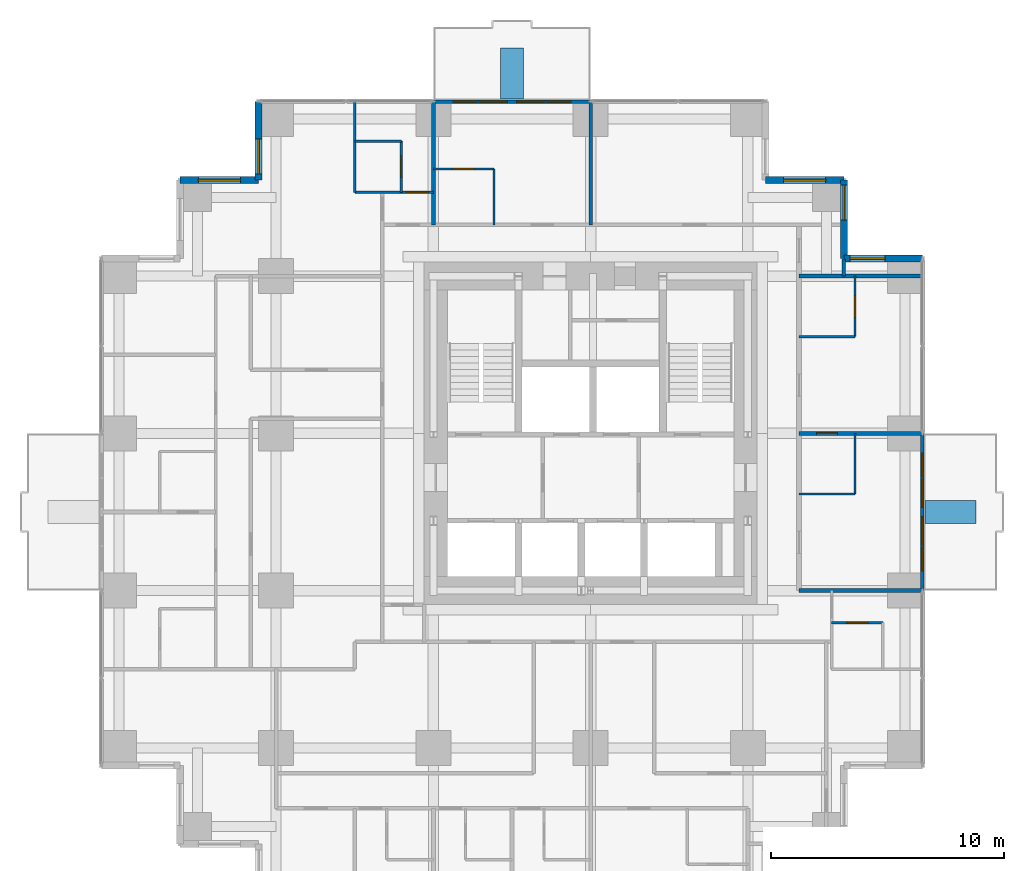
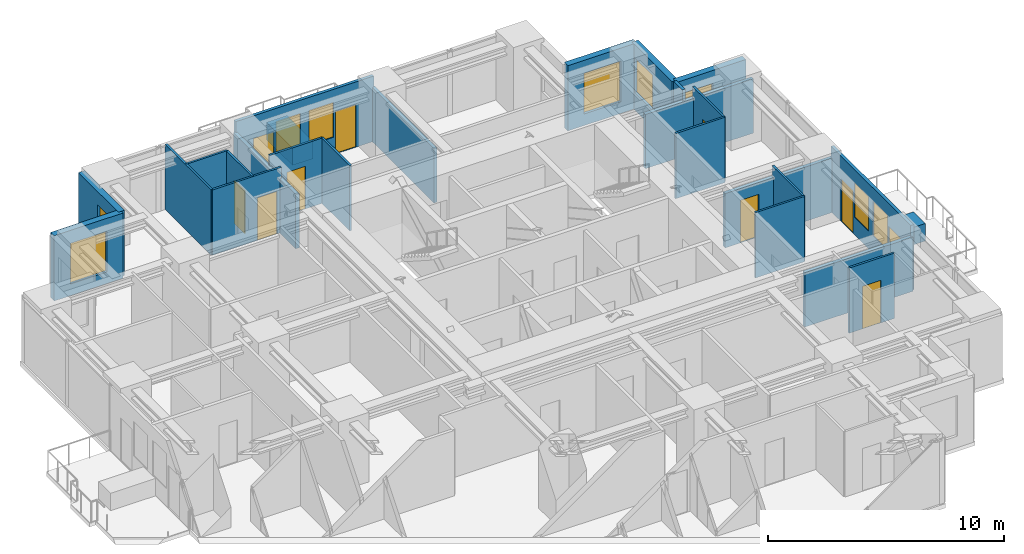
# One storey, part 8 of 10: 26 walls, 10 doors, 9 windows, 19 openings.
"""IFC4 building model written with IfcOpenShell, lengths in metres."""

from ifc_helpers import new_model, si_unit, direction, frame, frame_2d, origin, place, context, subcontext, project, spatial, rectangle, extrude, material, layer, layer_set, type_object, element, fill, save


model = new_model("IFC4")

# Units and contexts
model_context = context("Model", 3, precision=1e-05, world=origin(), true_north=direction((0.0, 1.0)))
body_context = subcontext(model_context, "Body", "Model", "MODEL_VIEW")
ifc_project = project(units=[si_unit("LENGTHUNIT", "METRE"), si_unit("AREAUNIT", "SQUARE_METRE"), si_unit("VOLUMEUNIT", "CUBIC_METRE"), si_unit("PLANEANGLEUNIT", "RADIAN"), si_unit("MASSUNIT", "GRAM", prefix="KILO")], contexts=[model_context])

# Site, building, storey
site_placement = place(None, origin())
site = spatial("IfcSite", under=ifc_project, at=site_placement, CompositionType="ELEMENT")
building_placement = place(site_placement, origin())
building = spatial("IfcBuilding", under=site, at=building_placement, Name="Nyansa Garden Tower", CompositionType="ELEMENT")
storey_placement = place(building_placement, frame((0.0, 0.0, 149.39990234375)))
storey = spatial("IfcBuildingStorey", under=building, at=storey_placement, Name="L40", CompositionType="ELEMENT", Elevation=149.39990234375)

# Walls
ifc_material_1 = material(Name="Dense blockwork, plastered both sides, 55 dB", Category="masonry")
ifc_layer_1 = layer(ifc_material_1, 0.175048828125)
ifc_layer_set_1 = layer_set([ifc_layer_1], Name="Acoustic party wall PW175")
wall_type_1 = type_object("IfcWallType", Name="Acoustic party wall PW175", PredefinedType="PARTITIONING", material=ifc_layer_set_1)
for number, where, z_axis, x_axis, name in (
    (1, (13.5, 29.199951171875, 0.0), (0.0, 0.0, 1.0), (0.0, 1.0, 0.0), "Party wall"),
    (2, (29.199951171875, 13.5, 0.0), (0.0, 0.0, 1.0), (1.0, 0.0, 0.0), "Party wall"),
):
    element("IfcWall", number, at=place(storey_placement, frame(where, z_axis=z_axis, x_axis=x_axis)), inside=storey, type_object=wall_type_1, Name=name, PredefinedType="PARTITIONING", context=body_context, shape_type="SweptSolid", body=[
        extrude(rectangle(XDim=5.283935546875, YDim=0.175048828125, at=frame_2d((2.64208984375, 0.0))), origin(), (0.0, 0.0, 1.0), 2.80615234375),
    ])

# Wall, opening, door
wall_1_placement = place(storey_placement, frame((29.199951171875, 20.25, 0.0), z_axis=(0.0, 0.0, 1.0), x_axis=(1.0, 0.0, 0.0)))
wall_1 = element("IfcWall", 3, at=wall_1_placement, inside=storey, type_object=wall_type_1, Name="Party wall", PredefinedType="PARTITIONING", context=body_context, shape_type="SweptSolid", body=[
    extrude(rectangle(XDim=5.283935546875, YDim=0.175048828125, at=frame_2d((2.64208984375, 0.0))), origin(), (0.0, 0.0, 1.0), 2.80615234375),
])
opening_1_placement = place(wall_1_placement, frame((0.75, 0.0, 0.0)))
opening_1 = element("IfcOpeningElement", 4, at=opening_1_placement, cuts=wall_1, Name="Opening D02", PredefinedType="OPENING", context=body_context, shape_type="SweptSolid", body=[
    extrude(rectangle(XDim=0.89990234375, YDim=2.199951171875, at=frame_2d((0.449951171875, 1.10009765625))), frame((0.0, 0.097412109375, 0.0), z_axis=(0.0, -1.0, 0.0), x_axis=(1.0, 0.0, 0.0)), (0.0, 0.0, 1.0), 0.195068359375),
])
ifc_material_2 = material(Name="Timber flush door", Category="wood")
door_type_1 = type_object("IfcDoorType", Name="En-suite door D02 900x2200", OperationType="SINGLE_SWING_RIGHT", PredefinedType="DOOR", material=ifc_material_2)
door_1_placement = place(opening_1_placement, origin())
door_1 = element("IfcDoor", 5, at=door_1_placement, inside=storey, type_object=door_type_1, Name="Door L40-035", OperationType="SINGLE_SWING_RIGHT", OverallHeight=2.199951171875, OverallWidth=0.89990234375, PredefinedType="DOOR", context=body_context, shape_type="SweptSolid", body=[
    extrude(rectangle(XDim=0.89990234375, YDim=2.199951171875, at=frame_2d((0.449951171875, 1.10009765625))), frame((0.0, 0.02490234375, 0.0), z_axis=(0.0, -1.0, 0.0), x_axis=(1.0, 0.0, 0.0)), (0.0, 0.0, 1.0), 0.050048828125),
])
fill(opening_1, door_1)

# Wall
wall_2_placement = place(storey_placement, frame((29.199951171875, 27.0, 0.0), z_axis=(0.0, 0.0, 1.0), x_axis=(1.0, 0.0, 0.0)))
element("IfcWall", 6, at=wall_2_placement, inside=storey, type_object=wall_type_1, Name="Party wall", PredefinedType="PARTITIONING", context=body_context, shape_type="SweptSolid", body=[
    extrude(rectangle(XDim=5.283935546875, YDim=0.175048828125, at=frame_2d((2.64208984375, 0.0))), origin(), (0.0, 0.0, 1.0), 2.80615234375),
])

# Wall, openings, doors, windows
ifc_material_3 = material(Name="Black aluminium framed glazed screen", Category="aluminium")
ifc_layer_2 = layer(ifc_material_3, 0.14990234375)
ifc_layer_set_2 = layer_set([ifc_layer_2], Name="Balcony screen wall BW150")
wall_type_2 = type_object("IfcWallType", Name="Balcony screen wall BW150", PredefinedType="SOLIDWALL", material=ifc_layer_set_2)
wall_3_placement = place(storey_placement, frame((34.5, 20.25, 0.0), z_axis=(0.0, 0.0, 1.0), x_axis=(0.0, -1.0, 0.0)))
wall_3 = element("IfcWall", 7, at=wall_3_placement, inside=storey, type_object=wall_type_2, Name="Glazed screen wall L40 E", PredefinedType="SOLIDWALL", context=body_context, shape_type="SweptSolid", body=[
    extrude(rectangle(XDim=6.75, YDim=0.14990234375, at=frame_2d((3.375, 0.0))), origin(), (0.0, 0.0, 1.0), 3.375),
])
opening_2_placement = place(wall_3_placement, frame((0.862548828125, 0.0, 0.0)))
opening_2 = element("IfcOpeningElement", 8, at=opening_2_placement, cuts=wall_3, Name="Opening D20", PredefinedType="OPENING", context=body_context, shape_type="SweptSolid", body=[
    extrude(rectangle(XDim=1.0, YDim=2.199951171875, at=frame_2d((0.5, 1.10009765625))), frame((0.0, 0.0849609375, 0.0), z_axis=(0.0, -1.0, 0.0), x_axis=(1.0, 0.0, 0.0)), (0.0, 0.0, 1.0), 0.169921875),
])
opening_3_placement = place(wall_3_placement, frame((1.97509765625, 0.0, 0.89990234375)))
opening_3 = element("IfcOpeningElement", 9, at=opening_3_placement, cuts=wall_3, Name="Opening W6", PredefinedType="OPENING", context=body_context, shape_type="SweptSolid", body=[
    extrude(rectangle(XDim=1.199951171875, YDim=1.800048828125, at=frame_2d((0.60009765625, 0.89990234375))), frame((0.0, 0.0849609375, 0.0), z_axis=(0.0, -1.0, 0.0), x_axis=(1.0, 0.0, 0.0)), (0.0, 0.0, 1.0), 0.169921875),
])
opening_4_placement = place(wall_3_placement, frame((4.887451171875, 0.0, 0.0)))
opening_4 = element("IfcOpeningElement", 10, at=opening_4_placement, cuts=wall_3, Name="Opening D20", PredefinedType="OPENING", context=body_context, shape_type="SweptSolid", body=[
    extrude(rectangle(XDim=1.0, YDim=2.199951171875, at=frame_2d((0.5, 1.10009765625))), frame((0.0, 0.0849609375, 0.0), z_axis=(0.0, -1.0, 0.0), x_axis=(1.0, 0.0, 0.0)), (0.0, 0.0, 1.0), 0.169921875),
])
opening_5_placement = place(wall_3_placement, frame((3.574951171875, 0.0, 0.89990234375)))
opening_5 = element("IfcOpeningElement", 11, at=opening_5_placement, cuts=wall_3, Name="Opening W6", PredefinedType="OPENING", context=body_context, shape_type="SweptSolid", body=[
    extrude(rectangle(XDim=1.199951171875, YDim=1.800048828125, at=frame_2d((0.60009765625, 0.89990234375))), frame((0.0, 0.0849609375, 0.0), z_axis=(0.0, -1.0, 0.0), x_axis=(1.0, 0.0, 0.0)), (0.0, 0.0, 1.0), 0.169921875),
])
ifc_material_4 = material(Name="Black aluminium framed glazed door", Category="aluminium")
door_type_2 = type_object("IfcDoorType", Name="Balcony door D20 1000x2200", OperationType="NOTDEFINED", PredefinedType="DOOR", material=ifc_material_4)
door_2_placement = place(opening_2_placement, origin())
door_2 = element("IfcDoor", 12, at=door_2_placement, inside=storey, type_object=door_type_2, Name="Balcony door L40", OperationType="SINGLE_SWING_LEFT", OverallHeight=2.199951171875, OverallWidth=1.0, PredefinedType="DOOR", context=body_context, shape_type="SweptSolid", body=[
    extrude(rectangle(XDim=1.0, YDim=2.199951171875, at=frame_2d((0.5, 1.10009765625))), frame((0.0, 0.02490234375, 0.0), z_axis=(0.0, -1.0, 0.0), x_axis=(1.0, 0.0, 0.0)), (0.0, 0.0, 1.0), 0.050048828125),
])
fill(opening_2, door_2)
door_3_placement = place(opening_4_placement, origin())
door_3 = element("IfcDoor", 13, at=door_3_placement, inside=storey, type_object=door_type_2, Name="Balcony door L40", OperationType="SINGLE_SWING_RIGHT", OverallHeight=2.199951171875, OverallWidth=1.0, PredefinedType="DOOR", context=body_context, shape_type="SweptSolid", body=[
    extrude(rectangle(XDim=1.0, YDim=2.199951171875, at=frame_2d((0.5, 1.10009765625))), frame((0.0, 0.02490234375, 0.0), z_axis=(0.0, -1.0, 0.0), x_axis=(1.0, 0.0, 0.0)), (0.0, 0.0, 1.0), 0.050048828125),
])
fill(opening_4, door_3)
ifc_material_5 = material(Name="Black aluminium frame, dark tinted double glazing", Category="aluminium")
window_type_1 = type_object("IfcWindowType", Name="Balcony window W6 1200x1800", PartitioningType="SINGLE_PANEL", PredefinedType="WINDOW", material=ifc_material_5)
window_1_placement = place(opening_3_placement, origin())
window_1 = element("IfcWindow", 14, at=window_1_placement, inside=storey, type_object=window_type_1, Name="Window L40", OverallHeight=1.800048828125, OverallWidth=1.199951171875, PartitioningType="SINGLE_PANEL", PredefinedType="WINDOW", context=body_context, shape_type="SweptSolid", body=[
    extrude(rectangle(XDim=1.199951171875, YDim=1.800048828125, at=frame_2d((0.60009765625, 0.89990234375))), frame((0.0, 0.030029296875, 0.0), z_axis=(0.0, -1.0, 0.0), x_axis=(1.0, 0.0, 0.0)), (0.0, 0.0, 1.0), 0.06005859375),
])
fill(opening_3, window_1)
window_2_placement = place(opening_5_placement, origin())
window_2 = element("IfcWindow", 15, at=window_2_placement, inside=storey, type_object=window_type_1, Name="Window L40", OverallHeight=1.800048828125, OverallWidth=1.199951171875, PartitioningType="SINGLE_PANEL", PredefinedType="WINDOW", context=body_context, shape_type="SweptSolid", body=[
    extrude(rectangle(XDim=1.199951171875, YDim=1.800048828125, at=frame_2d((0.60009765625, 0.89990234375))), frame((0.0, 0.030029296875, 0.0), z_axis=(0.0, -1.0, 0.0), x_axis=(1.0, 0.0, 0.0)), (0.0, 0.0, 1.0), 0.06005859375),
])
fill(opening_5, window_2)

wall_4_placement = place(storey_placement, frame((13.5, 34.5, 0.0), z_axis=(0.0, 0.0, 1.0), x_axis=(1.0, 0.0, 0.0)))
wall_4 = element("IfcWall", 16, at=wall_4_placement, inside=storey, type_object=wall_type_2, Name="Glazed screen wall L40 N", PredefinedType="SOLIDWALL", context=body_context, shape_type="SweptSolid", body=[
    extrude(rectangle(XDim=6.75, YDim=0.14990234375, at=frame_2d((3.375, 0.0))), origin(), (0.0, 0.0, 1.0), 3.375),
])
opening_6_placement = place(wall_4_placement, frame((0.862548828125, 0.0, 0.0)))
opening_6 = element("IfcOpeningElement", 17, at=opening_6_placement, cuts=wall_4, Name="Opening D20", PredefinedType="OPENING", context=body_context, shape_type="SweptSolid", body=[
    extrude(rectangle(XDim=1.0, YDim=2.199951171875, at=frame_2d((0.5, 1.10009765625))), frame((0.0, 0.0849609375, 0.0), z_axis=(0.0, -1.0, 0.0), x_axis=(1.0, 0.0, 0.0)), (0.0, 0.0, 1.0), 0.169921875),
])
opening_7_placement = place(wall_4_placement, frame((1.97509765625, 0.0, 0.89990234375)))
opening_7 = element("IfcOpeningElement", 18, at=opening_7_placement, cuts=wall_4, Name="Opening W6", PredefinedType="OPENING", context=body_context, shape_type="SweptSolid", body=[
    extrude(rectangle(XDim=1.199951171875, YDim=1.800048828125, at=frame_2d((0.60009765625, 0.89990234375))), frame((0.0, 0.0849609375, 0.0), z_axis=(0.0, -1.0, 0.0), x_axis=(1.0, 0.0, 0.0)), (0.0, 0.0, 1.0), 0.169921875),
])
opening_8_placement = place(wall_4_placement, frame((4.887451171875, 0.0, 0.0)))
opening_8 = element("IfcOpeningElement", 19, at=opening_8_placement, cuts=wall_4, Name="Opening D20", PredefinedType="OPENING", context=body_context, shape_type="SweptSolid", body=[
    extrude(rectangle(XDim=1.0, YDim=2.199951171875, at=frame_2d((0.5, 1.10009765625))), frame((0.0, 0.0849609375, 0.0), z_axis=(0.0, -1.0, 0.0), x_axis=(1.0, 0.0, 0.0)), (0.0, 0.0, 1.0), 0.169921875),
])
opening_9_placement = place(wall_4_placement, frame((3.574951171875, 0.0, 0.89990234375)))
opening_9 = element("IfcOpeningElement", 20, at=opening_9_placement, cuts=wall_4, Name="Opening W6", PredefinedType="OPENING", context=body_context, shape_type="SweptSolid", body=[
    extrude(rectangle(XDim=1.199951171875, YDim=1.800048828125, at=frame_2d((0.60009765625, 0.89990234375))), frame((0.0, 0.0849609375, 0.0), z_axis=(0.0, -1.0, 0.0), x_axis=(1.0, 0.0, 0.0)), (0.0, 0.0, 1.0), 0.169921875),
])
door_4_placement = place(opening_6_placement, origin())
door_4 = element("IfcDoor", 21, at=door_4_placement, inside=storey, type_object=door_type_2, Name="Balcony door L40", OperationType="SINGLE_SWING_LEFT", OverallHeight=2.199951171875, OverallWidth=1.0, PredefinedType="DOOR", context=body_context, shape_type="SweptSolid", body=[
    extrude(rectangle(XDim=1.0, YDim=2.199951171875, at=frame_2d((0.5, 1.10009765625))), frame((0.0, 0.02490234375, 0.0), z_axis=(0.0, -1.0, 0.0), x_axis=(1.0, 0.0, 0.0)), (0.0, 0.0, 1.0), 0.050048828125),
])
fill(opening_6, door_4)
door_5_placement = place(opening_8_placement, origin())
door_5 = element("IfcDoor", 22, at=door_5_placement, inside=storey, type_object=door_type_2, Name="Balcony door L40", OperationType="SINGLE_SWING_RIGHT", OverallHeight=2.199951171875, OverallWidth=1.0, PredefinedType="DOOR", context=body_context, shape_type="SweptSolid", body=[
    extrude(rectangle(XDim=1.0, YDim=2.199951171875, at=frame_2d((0.5, 1.10009765625))), frame((0.0, 0.02490234375, 0.0), z_axis=(0.0, -1.0, 0.0), x_axis=(1.0, 0.0, 0.0)), (0.0, 0.0, 1.0), 0.050048828125),
])
fill(opening_8, door_5)
window_3_placement = place(opening_7_placement, origin())
window_3 = element("IfcWindow", 23, at=window_3_placement, inside=storey, type_object=window_type_1, Name="Window L40", OverallHeight=1.800048828125, OverallWidth=1.199951171875, PartitioningType="SINGLE_PANEL", PredefinedType="WINDOW", context=body_context, shape_type="SweptSolid", body=[
    extrude(rectangle(XDim=1.199951171875, YDim=1.800048828125, at=frame_2d((0.60009765625, 0.89990234375))), frame((0.0, 0.030029296875, 0.0), z_axis=(0.0, -1.0, 0.0), x_axis=(1.0, 0.0, 0.0)), (0.0, 0.0, 1.0), 0.06005859375),
])
fill(opening_7, window_3)
window_4_placement = place(opening_9_placement, origin())
window_4 = element("IfcWindow", 24, at=window_4_placement, inside=storey, type_object=window_type_1, Name="Window L40", OverallHeight=1.800048828125, OverallWidth=1.199951171875, PartitioningType="SINGLE_PANEL", PredefinedType="WINDOW", context=body_context, shape_type="SweptSolid", body=[
    extrude(rectangle(XDim=1.199951171875, YDim=1.800048828125, at=frame_2d((0.60009765625, 0.89990234375))), frame((0.0, 0.030029296875, 0.0), z_axis=(0.0, -1.0, 0.0), x_axis=(1.0, 0.0, 0.0)), (0.0, 0.0, 1.0), 0.06005859375),
])
fill(opening_9, window_4)

# Walls
ifc_material_6 = material(Name="Blockwork, plastered both sides", Category="masonry")
ifc_layer_3 = layer(ifc_material_6, 0.14990234375)
ifc_layer_set_3 = layer_set([ifc_layer_3], Name="Partition PW150")
wall_type_3 = type_object("IfcWallType", Name="Partition PW150", PredefinedType="PARTITIONING", material=ifc_layer_set_3)
wall_5_placement = place(storey_placement, frame((20.25, 29.199951171875, 0.0), z_axis=(0.0, 0.0, 1.0), x_axis=(0.0, 1.0, 0.0)))
element("IfcWall", 25, at=wall_5_placement, inside=storey, type_object=wall_type_3, Name="Partition", PredefinedType="PARTITIONING", context=body_context, shape_type="SweptSolid", body=[
    extrude(rectangle(XDim=5.283935546875, YDim=0.14990234375, at=frame_2d((2.64208984375, 0.0))), origin(), (0.0, 0.0, 1.0), 2.80615234375),
])
wall_6_placement = place(storey_placement, frame((31.125, 27.0, 0.0), z_axis=(0.0, 0.0, 1.0), x_axis=(0.0, 1.0, 0.0)))
element("IfcWall", 26, at=wall_6_placement, inside=storey, type_object=wall_type_3, Name="Partition", PredefinedType="PARTITIONING", context=body_context, shape_type="SweptSolid", body=[
    extrude(rectangle(XDim=0.73388671875, YDim=0.14990234375, at=frame_2d((0.366943359375, 0.0))), origin(), (0.0, 0.0, 1.0), 3.375),
])

# Wall, opening, window
ifc_material_7 = material(Name="Turquoise glazed tile on concrete blockwork", Category="masonry")
ifc_layer_4 = layer(ifc_material_7, 0.300048828125)
ifc_layer_set_4 = layer_set([ifc_layer_4], Name="Tiled corner wall TW300")
wall_type_4 = type_object("IfcWallType", Name="Tiled corner wall TW300", PredefinedType="SOLIDWALL", material=ifc_layer_set_4)
wall_7_placement = place(storey_placement, frame((34.5, 27.75, 0.0), z_axis=(0.0, 0.0, 1.0), x_axis=(-1.0, 0.0, 0.0)))
wall_7 = element("IfcWall", 27, at=wall_7_placement, inside=storey, type_object=wall_type_4, Name="Tiled corner wall L40", PredefinedType="SOLIDWALL", context=body_context, shape_type="SweptSolid", body=[
    extrude(rectangle(XDim=3.375, YDim=0.300048828125, at=frame_2d((1.6875, 0.0))), origin(), (0.0, 0.0, 1.0), 3.375),
])
opening_10_placement = place(wall_7_placement, frame((1.607421875, 0.0, 0.89990234375)))
opening_10 = element("IfcOpeningElement", 28, at=opening_10_placement, cuts=wall_7, Name="Opening W1", PredefinedType="OPENING", context=body_context, shape_type="SweptSolid", body=[
    extrude(rectangle(XDim=1.5, YDim=1.800048828125, at=frame_2d((0.75, 0.89990234375))), frame((0.0, 0.159912109375, 0.0), z_axis=(0.0, -1.0, 0.0), x_axis=(1.0, 0.0, 0.0)), (0.0, 0.0, 1.0), 0.320068359375),
])
ifc_material_8 = material(Name="Black aluminium frame, dark tinted double glazing", Category="aluminium")
window_type_2 = type_object("IfcWindowType", Name="Window W1 1500x1800", PartitioningType="SINGLE_PANEL", PredefinedType="WINDOW", material=ifc_material_8)
window_5_placement = place(opening_10_placement, origin())
window_5 = element("IfcWindow", 29, at=window_5_placement, inside=storey, type_object=window_type_2, Name="Corner window L40", OverallHeight=1.800048828125, OverallWidth=1.5, PartitioningType="SINGLE_PANEL", PredefinedType="WINDOW", context=body_context, shape_type="SweptSolid", body=[
    extrude(rectangle(XDim=1.5, YDim=1.800048828125, at=frame_2d((0.75, 0.89990234375))), frame((0.0, 0.030029296875, 0.0), z_axis=(0.0, -1.0, 0.0), x_axis=(1.0, 0.0, 0.0)), (0.0, 0.0, 1.0), 0.06005859375),
])
fill(opening_10, window_5)

wall_8_placement = place(storey_placement, frame((31.125, 27.75, 0.0), z_axis=(0.0, 0.0, 1.0), x_axis=(0.0, 1.0, 0.0)))
wall_8 = element("IfcWall", 30, at=wall_8_placement, inside=storey, type_object=wall_type_4, Name="Tiled corner wall L40", PredefinedType="SOLIDWALL", context=body_context, shape_type="SweptSolid", body=[
    extrude(rectangle(XDim=3.375, YDim=0.300048828125, at=frame_2d((1.6875, 0.0))), origin(), (0.0, 0.0, 1.0), 3.375),
])
opening_11_placement = place(wall_8_placement, frame((1.66259765625, 0.0, 0.89990234375)))
opening_11 = element("IfcOpeningElement", 31, at=opening_11_placement, cuts=wall_8, Name="Opening W1", PredefinedType="OPENING", context=body_context, shape_type="SweptSolid", body=[
    extrude(rectangle(XDim=1.5, YDim=1.800048828125, at=frame_2d((0.75, 0.89990234375))), frame((0.0, 0.159912109375, 0.0), z_axis=(0.0, -1.0, 0.0), x_axis=(1.0, 0.0, 0.0)), (0.0, 0.0, 1.0), 0.320068359375),
])
window_6_placement = place(opening_11_placement, origin())
window_6 = element("IfcWindow", 32, at=window_6_placement, inside=storey, type_object=window_type_2, Name="Corner window L40", OverallHeight=1.800048828125, OverallWidth=1.5, PartitioningType="SINGLE_PANEL", PredefinedType="WINDOW", context=body_context, shape_type="SweptSolid", body=[
    extrude(rectangle(XDim=1.5, YDim=1.800048828125, at=frame_2d((0.75, 0.89990234375))), frame((0.0, 0.030029296875, 0.0), z_axis=(0.0, -1.0, 0.0), x_axis=(1.0, 0.0, 0.0)), (0.0, 0.0, 1.0), 0.06005859375),
])
fill(opening_11, window_6)

wall_9_placement = place(storey_placement, frame((31.125, 31.125, 0.0), z_axis=(0.0, 0.0, 1.0), x_axis=(-1.0, 0.0, 0.0)))
wall_9 = element("IfcWall", 33, at=wall_9_placement, inside=storey, type_object=wall_type_4, Name="Tiled corner wall L40", PredefinedType="SOLIDWALL", context=body_context, shape_type="SweptSolid", body=[
    extrude(rectangle(XDim=3.375, YDim=0.300048828125, at=frame_2d((1.6875, 0.0))), origin(), (0.0, 0.0, 1.0), 3.375),
])
opening_12_placement = place(wall_9_placement, frame((0.78759765625, 0.0, 0.60009765625)))
opening_12 = element("IfcOpeningElement", 34, at=opening_12_placement, cuts=wall_9, Name="Opening W2", PredefinedType="OPENING", context=body_context, shape_type="SweptSolid", body=[
    extrude(rectangle(XDim=1.800048828125, YDim=2.10009765625, at=frame_2d((0.89990234375, 1.050048828125))), frame((0.0, 0.159912109375, 0.0), z_axis=(0.0, -1.0, 0.0), x_axis=(1.0, 0.0, 0.0)), (0.0, 0.0, 1.0), 0.320068359375),
])
ifc_material_9 = material(Name="Black aluminium frame, dark tinted double glazing", Category="aluminium")
window_type_3 = type_object("IfcWindowType", Name="Window W2 1800x2100", PartitioningType="SINGLE_PANEL", PredefinedType="WINDOW", material=ifc_material_9)
window_7_placement = place(opening_12_placement, origin())
window_7 = element("IfcWindow", 35, at=window_7_placement, inside=storey, type_object=window_type_3, Name="Corner window L40", OverallHeight=2.10009765625, OverallWidth=1.800048828125, PartitioningType="SINGLE_PANEL", PredefinedType="WINDOW", context=body_context, shape_type="SweptSolid", body=[
    extrude(rectangle(XDim=1.800048828125, YDim=2.10009765625, at=frame_2d((0.89990234375, 1.050048828125))), frame((0.0, 0.030029296875, 0.0), z_axis=(0.0, -1.0, 0.0), x_axis=(1.0, 0.0, 0.0)), (0.0, 0.0, 1.0), 0.06005859375),
])
fill(opening_12, window_7)

wall_10_placement = place(storey_placement, frame((6.0, 34.5, 0.0), z_axis=(0.0, 0.0, 1.0), x_axis=(0.0, -1.0, 0.0)))
wall_10 = element("IfcWall", 36, at=wall_10_placement, inside=storey, type_object=wall_type_4, Name="Tiled corner wall L40", PredefinedType="SOLIDWALL", context=body_context, shape_type="SweptSolid", body=[
    extrude(rectangle(XDim=3.375, YDim=0.300048828125, at=frame_2d((1.6875, 0.0))), origin(), (0.0, 0.0, 1.0), 3.375),
])
opening_13_placement = place(wall_10_placement, frame((1.607421875, 0.0, 0.89990234375)))
opening_13 = element("IfcOpeningElement", 37, at=opening_13_placement, cuts=wall_10, Name="Opening W1", PredefinedType="OPENING", context=body_context, shape_type="SweptSolid", body=[
    extrude(rectangle(XDim=1.5, YDim=1.800048828125, at=frame_2d((0.75, 0.89990234375))), frame((0.0, 0.159912109375, 0.0), z_axis=(0.0, -1.0, 0.0), x_axis=(1.0, 0.0, 0.0)), (0.0, 0.0, 1.0), 0.320068359375),
])
window_8_placement = place(opening_13_placement, origin())
window_8 = element("IfcWindow", 38, at=window_8_placement, inside=storey, type_object=window_type_2, Name="Corner window L40", OverallHeight=1.800048828125, OverallWidth=1.5, PartitioningType="SINGLE_PANEL", PredefinedType="WINDOW", context=body_context, shape_type="SweptSolid", body=[
    extrude(rectangle(XDim=1.5, YDim=1.800048828125, at=frame_2d((0.75, 0.89990234375))), frame((0.0, 0.030029296875, 0.0), z_axis=(0.0, -1.0, 0.0), x_axis=(1.0, 0.0, 0.0)), (0.0, 0.0, 1.0), 0.06005859375),
])
fill(opening_13, window_8)

wall_11_placement = place(storey_placement, frame((6.0, 31.125, 0.0), z_axis=(0.0, 0.0, 1.0), x_axis=(-1.0, 0.0, 0.0)))
wall_11 = element("IfcWall", 39, at=wall_11_placement, inside=storey, type_object=wall_type_4, Name="Tiled corner wall L40", PredefinedType="SOLIDWALL", context=body_context, shape_type="SweptSolid", body=[
    extrude(rectangle(XDim=3.375, YDim=0.300048828125, at=frame_2d((1.6875, 0.0))), origin(), (0.0, 0.0, 1.0), 3.375),
])
opening_14_placement = place(wall_11_placement, frame((0.78759765625, 0.0, 0.60009765625)))
opening_14 = element("IfcOpeningElement", 40, at=opening_14_placement, cuts=wall_11, Name="Opening W2", PredefinedType="OPENING", context=body_context, shape_type="SweptSolid", body=[
    extrude(rectangle(XDim=1.800048828125, YDim=2.10009765625, at=frame_2d((0.89990234375, 1.050048828125))), frame((0.0, 0.159912109375, 0.0), z_axis=(0.0, -1.0, 0.0), x_axis=(1.0, 0.0, 0.0)), (0.0, 0.0, 1.0), 0.320068359375),
])
window_9_placement = place(opening_14_placement, origin())
window_9 = element("IfcWindow", 41, at=window_9_placement, inside=storey, type_object=window_type_3, Name="Corner window L40", OverallHeight=2.10009765625, OverallWidth=1.800048828125, PartitioningType="SINGLE_PANEL", PredefinedType="WINDOW", context=body_context, shape_type="SweptSolid", body=[
    extrude(rectangle(XDim=1.800048828125, YDim=2.10009765625, at=frame_2d((0.89990234375, 1.050048828125))), frame((0.0, 0.030029296875, 0.0), z_axis=(0.0, -1.0, 0.0), x_axis=(1.0, 0.0, 0.0)), (0.0, 0.0, 1.0), 0.06005859375),
])
fill(opening_14, window_9)

# Walls
ifc_material_10 = material(Name="Concrete C40/50 planter, waterproofed", Category="concrete")
ifc_layer_5 = layer(ifc_material_10, 1.0)
ifc_layer_set_5 = layer_set([ifc_layer_5], Name="Tree planter TP1")
wall_type_5 = type_object("IfcWallType", Name="Tree planter TP1", PredefinedType="USERDEFINED", material=ifc_layer_set_5)
for number, where, z_axis, x_axis, name in (
    (42, (34.60009765625, 16.875, 0.0), (0.0, 0.0, 1.0), (1.0, 0.0, 0.0), "Tree planter L40"),
    (43, (16.875, 34.60009765625, 0.0), (0.0, 0.0, 1.0), (0.0, 1.0, 0.0), "Tree planter L40"),
):
    element("IfcWall", number, at=place(storey_placement, frame(where, z_axis=z_axis, x_axis=x_axis)), inside=storey, type_object=wall_type_5, Name=name, ObjectType="TREE PLANTER", PredefinedType="USERDEFINED", context=body_context, shape_type="SweptSolid", body=[
        extrude(rectangle(XDim=2.199951171875, YDim=1.0, at=frame_2d((1.10009765625, 0.0))), origin(), (0.0, 0.0, 1.0), 0.900146484375),
    ])
ifc_material_11 = material(Name="Moisture resistant board on steel studs, tiled", Category="steel")
ifc_layer_6 = layer(ifc_material_11, 0.10009765625)
ifc_layer_set_6 = layer_set([ifc_layer_6], Name="Wet wall PW100")
wall_type_6 = type_object("IfcWallType", Name="Wet wall PW100", PredefinedType="PARTITIONING", material=ifc_layer_set_6)
wall_12_placement = place(storey_placement, frame((10.125, 30.60009765625, 0.0), z_axis=(0.0, 0.0, 1.0), x_axis=(0.0, 1.0, 0.0)))
element("IfcWall", 44, at=wall_12_placement, inside=storey, type_object=wall_type_6, Name="Wet wall", PredefinedType="PARTITIONING", context=body_context, shape_type="SweptSolid", body=[
    extrude(rectangle(XDim=3.8837890625, YDim=0.10009765625, at=frame_2d((1.94189453125, 0.0))), origin(), (0.0, 0.0, 1.0), 3.375),
])

# Wall, opening, door
wall_13_placement = place(storey_placement, frame((10.125, 30.60009765625, 0.0), z_axis=(0.0, 0.0, 1.0), x_axis=(1.0, 0.0, 0.0)))
wall_13 = element("IfcWall", 45, at=wall_13_placement, inside=storey, type_object=wall_type_6, Name="Wet wall", PredefinedType="PARTITIONING", context=body_context, shape_type="SweptSolid", body=[
    extrude(rectangle(XDim=3.375, YDim=0.10009765625, at=frame_2d((1.6875, 0.0))), origin(), (0.0, 0.0, 1.0), 3.375),
])
opening_15_placement = place(wall_13_placement, frame((2.199951171875, 0.0, 0.0)))
opening_15 = element("IfcOpeningElement", 46, at=opening_15_placement, cuts=wall_13, Name="Opening D14", PredefinedType="OPENING", context=body_context, shape_type="SweptSolid", body=[
    extrude(rectangle(XDim=0.949951171875, YDim=2.199951171875, at=frame_2d((0.47509765625, 1.10009765625))), frame((0.0, 0.06005859375, 0.0), z_axis=(0.0, -1.0, 0.0), x_axis=(1.0, 0.0, 0.0)), (0.0, 0.0, 1.0), 0.1201171875),
])
ifc_material_12 = material(Name="Timber flush door, 60 minute fire resisting, self-closing", Category="wood")
door_type_3 = type_object("IfcDoorType", Name="Studio entrance door D14 950x2200", OperationType="SINGLE_SWING_LEFT", PredefinedType="DOOR", material=ifc_material_12)
door_6_placement = place(opening_15_placement, origin())
door_6 = element("IfcDoor", 47, at=door_6_placement, inside=storey, type_object=door_type_3, Name="Door L40-042", OperationType="SINGLE_SWING_LEFT", OverallHeight=2.199951171875, OverallWidth=0.949951171875, PredefinedType="DOOR", context=body_context, shape_type="SweptSolid", body=[
    extrude(rectangle(XDim=0.949951171875, YDim=2.199951171875, at=frame_2d((0.47509765625, 1.10009765625))), frame((0.0, 0.02490234375, 0.0), z_axis=(0.0, -1.0, 0.0), x_axis=(1.0, 0.0, 0.0)), (0.0, 0.0, 1.0), 0.050048828125),
])
fill(opening_15, door_6)

# Wall
wall_14_placement = place(storey_placement, frame((10.125, 32.800048828125, 0.0), z_axis=(0.0, 0.0, 1.0), x_axis=(1.0, 0.0, 0.0)))
element("IfcWall", 48, at=wall_14_placement, inside=storey, type_object=wall_type_6, Name="Wet wall", PredefinedType="PARTITIONING", context=body_context, shape_type="SweptSolid", body=[
    extrude(rectangle(XDim=2.0, YDim=0.10009765625, at=frame_2d((1.0, 0.0))), origin(), (0.0, 0.0, 1.0), 3.375),
])

# Wall, opening, door
wall_15_placement = place(storey_placement, frame((12.125, 30.60009765625, 0.0), z_axis=(0.0, 0.0, 1.0), x_axis=(0.0, 1.0, 0.0)))
wall_15 = element("IfcWall", 49, at=wall_15_placement, inside=storey, type_object=wall_type_6, Name="Wet wall", PredefinedType="PARTITIONING", context=body_context, shape_type="SweptSolid", body=[
    extrude(rectangle(XDim=2.199951171875, YDim=0.10009765625, at=frame_2d((1.10009765625, 0.0))), origin(), (0.0, 0.0, 1.0), 3.375),
])
opening_16_placement = place(wall_15_placement, frame((0.64990234375, 0.0, 0.0)))
opening_16 = element("IfcOpeningElement", 50, at=opening_16_placement, cuts=wall_15, Name="Opening D02", PredefinedType="OPENING", context=body_context, shape_type="SweptSolid", body=[
    extrude(rectangle(XDim=0.89990234375, YDim=2.199951171875, at=frame_2d((0.449951171875, 1.10009765625))), frame((0.0, 0.06005859375, 0.0), z_axis=(0.0, -1.0, 0.0), x_axis=(1.0, 0.0, 0.0)), (0.0, 0.0, 1.0), 0.1201171875),
])
door_7_placement = place(opening_16_placement, origin())
door_7 = element("IfcDoor", 51, at=door_7_placement, inside=storey, type_object=door_type_1, Name="Door L40-043", OperationType="SINGLE_SWING_RIGHT", OverallHeight=2.199951171875, OverallWidth=0.89990234375, PredefinedType="DOOR", context=body_context, shape_type="SweptSolid", body=[
    extrude(rectangle(XDim=0.89990234375, YDim=2.199951171875, at=frame_2d((0.449951171875, 1.10009765625))), frame((0.0, 0.02490234375, 0.0), z_axis=(0.0, -1.0, 0.0), x_axis=(1.0, 0.0, 0.0)), (0.0, 0.0, 1.0), 0.050048828125),
])
fill(opening_16, door_7)

wall_16_placement = place(storey_placement, frame((13.5, 31.60009765625, 0.0), z_axis=(0.0, 0.0, 1.0), x_axis=(1.0, 0.0, 0.0)))
wall_16 = element("IfcWall", 52, at=wall_16_placement, inside=storey, type_object=wall_type_6, Name="Wet wall", PredefinedType="PARTITIONING", context=body_context, shape_type="SweptSolid", body=[
    extrude(rectangle(XDim=2.60009765625, YDim=0.10009765625, at=frame_2d((1.300048828125, 0.0))), origin(), (0.0, 0.0, 1.0), 3.375),
])
opening_17_placement = place(wall_16_placement, frame((0.85009765625, 0.0, 0.0)))
opening_17 = element("IfcOpeningElement", 53, at=opening_17_placement, cuts=wall_16, Name="Opening D02", PredefinedType="OPENING", context=body_context, shape_type="SweptSolid", body=[
    extrude(rectangle(XDim=0.89990234375, YDim=2.199951171875, at=frame_2d((0.449951171875, 1.10009765625))), frame((0.0, 0.06005859375, 0.0), z_axis=(0.0, -1.0, 0.0), x_axis=(1.0, 0.0, 0.0)), (0.0, 0.0, 1.0), 0.1201171875),
])
door_8_placement = place(opening_17_placement, origin())
door_8 = element("IfcDoor", 54, at=door_8_placement, inside=storey, type_object=door_type_1, Name="Door L40-041", OperationType="SINGLE_SWING_RIGHT", OverallHeight=2.199951171875, OverallWidth=0.89990234375, PredefinedType="DOOR", context=body_context, shape_type="SweptSolid", body=[
    extrude(rectangle(XDim=0.89990234375, YDim=2.199951171875, at=frame_2d((0.449951171875, 1.10009765625))), frame((0.0, 0.02490234375, 0.0), z_axis=(0.0, -1.0, 0.0), x_axis=(1.0, 0.0, 0.0)), (0.0, 0.0, 1.0), 0.050048828125),
])
fill(opening_17, door_8)

# Walls
for number, where, z_axis, x_axis, name in (
    (55, (16.10009765625, 29.199951171875, 0.0), (0.0, 0.0, 1.0), (0.0, 1.0, 0.0), "Wet wall"),
    (56, (29.199951171875, 17.64990234375, 0.0), (0.0, 0.0, 1.0), (1.0, 0.0, 0.0), "Wet wall"),
    (57, (29.199951171875, 24.39990234375, 0.0), (0.0, 0.0, 1.0), (1.0, 0.0, 0.0), "Wet wall"),
):
    element("IfcWall", number, at=place(storey_placement, frame(where, z_axis=z_axis, x_axis=x_axis)), inside=storey, type_object=wall_type_6, Name=name, PredefinedType="PARTITIONING", context=body_context, shape_type="SweptSolid", body=[
        extrude(rectangle(XDim=2.400146484375, YDim=0.10009765625, at=frame_2d((1.2001953125, 0.0))), origin(), (0.0, 0.0, 1.0), 3.375),
    ])

# Wall, opening, door
wall_17_placement = place(storey_placement, frame((30.60009765625, 12.125, 0.0), z_axis=(0.0, 0.0, 1.0), x_axis=(1.0, 0.0, 0.0)))
wall_17 = element("IfcWall", 58, at=wall_17_placement, inside=storey, type_object=wall_type_6, Name="Wet wall", PredefinedType="PARTITIONING", context=body_context, shape_type="SweptSolid", body=[
    extrude(rectangle(XDim=2.199951171875, YDim=0.10009765625, at=frame_2d((1.10009765625, 0.0))), origin(), (0.0, 0.0, 1.0), 3.375),
])
opening_18_placement = place(wall_17_placement, frame((0.64990234375, 0.0, 0.0)))
opening_18 = element("IfcOpeningElement", 59, at=opening_18_placement, cuts=wall_17, Name="Opening D02", PredefinedType="OPENING", context=body_context, shape_type="SweptSolid", body=[
    extrude(rectangle(XDim=0.89990234375, YDim=2.199951171875, at=frame_2d((0.449951171875, 1.10009765625))), frame((0.0, 0.06005859375, 0.0), z_axis=(0.0, -1.0, 0.0), x_axis=(1.0, 0.0, 0.0)), (0.0, 0.0, 1.0), 0.1201171875),
])
door_9_placement = place(opening_18_placement, origin())
door_9 = element("IfcDoor", 60, at=door_9_placement, inside=storey, type_object=door_type_1, Name="Door L40-037", OperationType="SINGLE_SWING_RIGHT", OverallHeight=2.199951171875, OverallWidth=0.89990234375, PredefinedType="DOOR", context=body_context, shape_type="SweptSolid", body=[
    extrude(rectangle(XDim=0.89990234375, YDim=2.199951171875, at=frame_2d((0.449951171875, 1.10009765625))), frame((0.0, 0.02490234375, 0.0), z_axis=(0.0, -1.0, 0.0), x_axis=(1.0, 0.0, 0.0)), (0.0, 0.0, 1.0), 0.050048828125),
])
fill(opening_18, door_9)

# Wall
wall_18_placement = place(storey_placement, frame((31.60009765625, 17.64990234375, 0.0), z_axis=(0.0, 0.0, 1.0), x_axis=(0.0, 1.0, 0.0)))
element("IfcWall", 61, at=wall_18_placement, inside=storey, type_object=wall_type_6, Name="Wet wall", PredefinedType="PARTITIONING", context=body_context, shape_type="SweptSolid", body=[
    extrude(rectangle(XDim=2.60009765625, YDim=0.10009765625, at=frame_2d((1.300048828125, 0.0))), origin(), (0.0, 0.0, 1.0), 3.375),
])

# Wall, opening, door
wall_19_placement = place(storey_placement, frame((31.60009765625, 24.39990234375, 0.0), z_axis=(0.0, 0.0, 1.0), x_axis=(0.0, 1.0, 0.0)))
wall_19 = element("IfcWall", 62, at=wall_19_placement, inside=storey, type_object=wall_type_6, Name="Wet wall", PredefinedType="PARTITIONING", context=body_context, shape_type="SweptSolid", body=[
    extrude(rectangle(XDim=2.60009765625, YDim=0.10009765625, at=frame_2d((1.300048828125, 0.0))), origin(), (0.0, 0.0, 1.0), 3.375),
])
opening_19_placement = place(wall_19_placement, frame((0.85009765625, 0.0, 0.0)))
opening_19 = element("IfcOpeningElement", 63, at=opening_19_placement, cuts=wall_19, Name="Opening D02", PredefinedType="OPENING", context=body_context, shape_type="SweptSolid", body=[
    extrude(rectangle(XDim=0.89990234375, YDim=2.199951171875, at=frame_2d((0.449951171875, 1.10009765625))), frame((0.0, 0.06005859375, 0.0), z_axis=(0.0, -1.0, 0.0), x_axis=(1.0, 0.0, 0.0)), (0.0, 0.0, 1.0), 0.1201171875),
])
door_10_placement = place(opening_19_placement, origin())
door_10 = element("IfcDoor", 64, at=door_10_placement, inside=storey, type_object=door_type_1, Name="Door L40-033", OperationType="SINGLE_SWING_RIGHT", OverallHeight=2.199951171875, OverallWidth=0.89990234375, PredefinedType="DOOR", context=body_context, shape_type="SweptSolid", body=[
    extrude(rectangle(XDim=0.89990234375, YDim=2.199951171875, at=frame_2d((0.449951171875, 1.10009765625))), frame((0.0, 0.02490234375, 0.0), z_axis=(0.0, -1.0, 0.0), x_axis=(1.0, 0.0, 0.0)), (0.0, 0.0, 1.0), 0.050048828125),
])
fill(opening_19, door_10)

save(model, "model.ifc")
